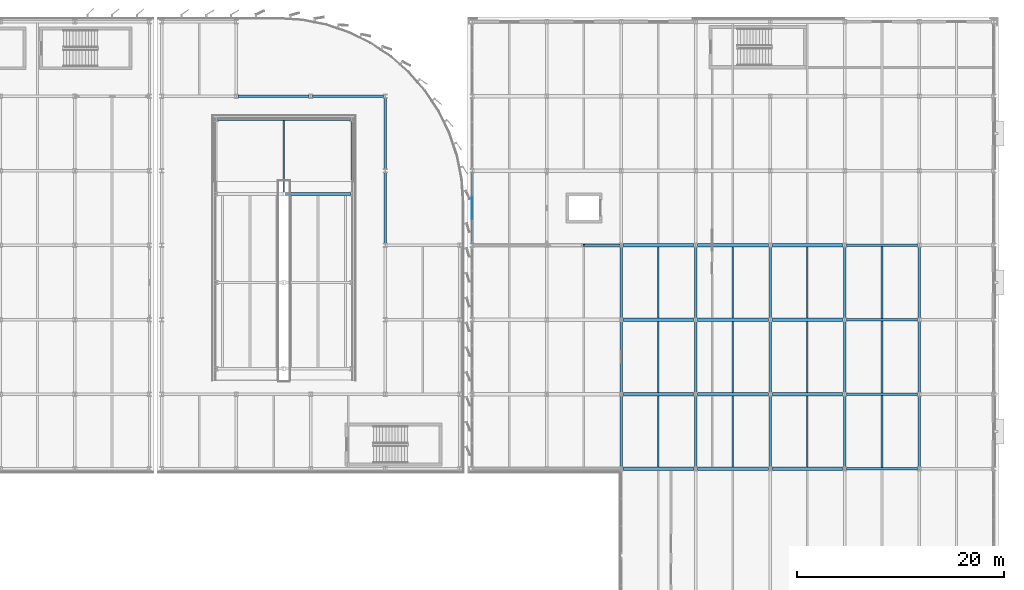
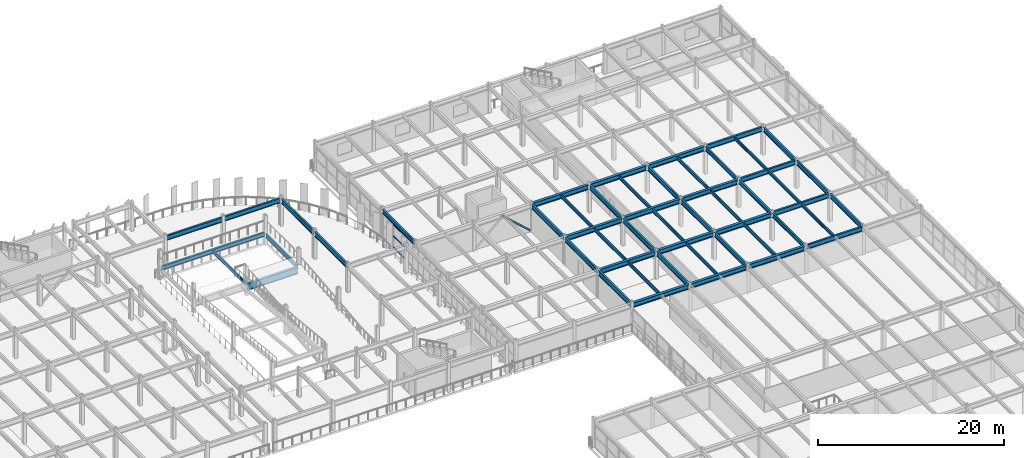
# One storey, part 45 of 93: 52 beams, 4 members, 1 element without a shape of its own.
"""IFC4 building model written with IfcOpenShell, lengths in metres."""

from ifc_helpers import new_model, si_unit, direction, frame, origin, origin_2d, place, context, subcontext, project, spatial, rectangle, hollow_rectangle, i_section, extrude, material, material_profile, profile_set, type_object, element, aggregate, save


model = new_model("IFC4")

# Units and contexts
model_context = context("Model", 3, precision=1e-05, world=origin(), true_north=direction((0.0, 1.0)))
body_context = subcontext(model_context, "Body", "Model", "MODEL_VIEW")
ifc_project = project(units=[si_unit("LENGTHUNIT", "METRE"), si_unit("AREAUNIT", "SQUARE_METRE"), si_unit("VOLUMEUNIT", "CUBIC_METRE"), si_unit("PLANEANGLEUNIT", "RADIAN"), si_unit("MASSUNIT", "GRAM", prefix="KILO")], contexts=[model_context])

# Site, building, storey
site_placement = place(None, origin())
site = spatial("IfcSite", under=ifc_project, at=site_placement, CompositionType="ELEMENT")
building_placement = place(site_placement, origin())
building = spatial("IfcBuilding", under=site, at=building_placement, Name="Vaelcorin Mobility Hub", CompositionType="ELEMENT")
storey_placement = place(building_placement, frame((0.0, 0.0, 5.39990234375)))
storey = spatial("IfcBuildingStorey", under=building, at=storey_placement, Name="L01", CompositionType="ELEMENT", Elevation=5.39990234375)

# Beams
ifc_material_1 = material(Name="Steel ASTM A992 Grade 50", Category="steel")
ifc_material_profile_1 = material_profile(ifc_material_1, i_section(OverallWidth=0.177978515625, OverallDepth=0.404052734375, WebThickness=0.007568359375, FlangeThickness=0.010986328125, FilletRadius=0.012939453125, at=origin_2d()), Name="W16X36")
ifc_profile_set_1 = profile_set([ifc_material_profile_1], Name="Steel ASTM A992 Grade 50")
beam_type_1 = type_object("IfcBeamType", Name="BM-W16X36", PredefinedType="JOIST", material=ifc_profile_set_1)
for number, where, z_axis, x_axis, name in (
    (1, (193.199951171875, 76.912109375, 3.498046875), (0.0, 1.0, 0.0), (-1.0, 0.0, 0.0), "L01 Beam V5E-L01-J-01-09-1"),
    (2, (193.199951171875, 84.112060546875, 3.498046875), (0.0, 1.0, 0.0), (-1.0, 0.0, 0.0), "L01 Beam V5E-L01-J-01-10-1"),
):
    element("IfcBeam", number, at=place(storey_placement, frame(where, z_axis=z_axis, x_axis=x_axis)), inside=storey, type_object=beam_type_1, Name=name, PredefinedType="JOIST", context=body_context, shape_type="SweptSolid", body=[
        extrude(i_section(OverallWidth=0.177978515625, OverallDepth=0.404052734375, WebThickness=0.007568359375, FlangeThickness=0.010986328125, FilletRadius=0.012939453125, at=origin_2d()), origin(), (0.0, 0.0, 1.0), 6.975830078125),
    ])
beam_1_placement = place(storey_placement, frame((193.199951171875, 91.31201171875, 3.498046875), z_axis=(0.0, 1.0, 0.0), x_axis=(-1.0, 0.0, 0.0)))
element("IfcBeam", 3, at=beam_1_placement, inside=storey, type_object=beam_type_1, Name="L01 Beam V5E-L01-J-01-11-1", PredefinedType="JOIST", context=body_context, shape_type="SweptSolid", body=[
    extrude(i_section(OverallWidth=0.177978515625, OverallDepth=0.404052734375, WebThickness=0.007568359375, FlangeThickness=0.010986328125, FilletRadius=0.012939453125, at=origin_2d()), origin(), (0.0, 0.0, 1.0), 6.97607421875),
])
ifc_material_profile_2 = material_profile(ifc_material_1, i_section(OverallWidth=0.152099609375, OverallDepth=0.455078125, WebThickness=0.008056640625, FlangeThickness=0.01318359375, FilletRadius=0.012939453125, at=origin_2d()), Name="W18X40")
ifc_profile_set_2 = profile_set([ifc_material_profile_2], Name="Steel ASTM A992 Grade 50")
beam_type_2 = type_object("IfcBeamType", Name="BM-W18X40", PredefinedType="JOIST", material=ifc_profile_set_2)
for number, where, z_axis, x_axis, name in (
    (4, (171.60009765625, 76.9599609375, 3.443115234375), (0.0, 1.0, 0.0), (-1.0, 0.0, 0.0), "L01 Beam V5-L01-J-03-09-1"),
    (5, (171.60009765625, 84.159912109375, 3.443115234375), (0.0, 1.0, 0.0), (-1.0, 0.0, 0.0), "L01 Beam V5-L01-J-03-10-1"),
):
    element("IfcBeam", number, at=place(storey_placement, frame(where, z_axis=z_axis, x_axis=x_axis)), inside=storey, type_object=beam_type_2, Name=name, PredefinedType="JOIST", context=body_context, shape_type="SweptSolid", body=[
        extrude(i_section(OverallWidth=0.152099609375, OverallDepth=0.455078125, WebThickness=0.008056640625, FlangeThickness=0.01318359375, FilletRadius=0.012939453125, at=origin_2d()), origin(), (0.0, 0.0, 1.0), 6.880126953125),
    ])
beam_2_placement = place(storey_placement, frame((171.60009765625, 91.360107421875, 3.443115234375), z_axis=(0.0, 1.0, 0.0), x_axis=(-1.0, 0.0, 0.0)))
element("IfcBeam", 6, at=beam_2_placement, inside=storey, type_object=beam_type_2, Name="L01 Beam V5-L01-J-03-11-1", PredefinedType="JOIST", context=body_context, shape_type="SweptSolid", body=[
    extrude(i_section(OverallWidth=0.152099609375, OverallDepth=0.455078125, WebThickness=0.008056640625, FlangeThickness=0.01318359375, FilletRadius=0.012939453125, at=origin_2d()), origin(), (0.0, 0.0, 1.0), 6.8798828125),
])
for number, where, z_axis, x_axis, name in (
    (7, (178.800048828125, 76.9599609375, 3.443115234375), (0.0, 1.0, 0.0), (-1.0, 0.0, 0.0), "L01 Beam V5-L01-J-04-09-1"),
    (8, (178.800048828125, 84.159912109375, 3.443115234375), (0.0, 1.0, 0.0), (-1.0, 0.0, 0.0), "L01 Beam V5-L01-J-04-10-1"),
):
    element("IfcBeam", number, at=place(storey_placement, frame(where, z_axis=z_axis, x_axis=x_axis)), inside=storey, type_object=beam_type_2, Name=name, PredefinedType="JOIST", context=body_context, shape_type="SweptSolid", body=[
        extrude(i_section(OverallWidth=0.152099609375, OverallDepth=0.455078125, WebThickness=0.008056640625, FlangeThickness=0.01318359375, FilletRadius=0.012939453125, at=origin_2d()), origin(), (0.0, 0.0, 1.0), 6.880126953125),
    ])
beam_3_placement = place(storey_placement, frame((178.800048828125, 91.360107421875, 3.443115234375), z_axis=(0.0, 1.0, 0.0), x_axis=(-1.0, 0.0, 0.0)))
element("IfcBeam", 9, at=beam_3_placement, inside=storey, type_object=beam_type_2, Name="L01 Beam V5-L01-J-04-11-1", PredefinedType="JOIST", context=body_context, shape_type="SweptSolid", body=[
    extrude(i_section(OverallWidth=0.152099609375, OverallDepth=0.455078125, WebThickness=0.008056640625, FlangeThickness=0.01318359375, FilletRadius=0.012939453125, at=origin_2d()), origin(), (0.0, 0.0, 1.0), 6.8798828125),
])
for number, where, z_axis, x_axis, name in (
    (10, (186.0, 76.9599609375, 3.443115234375), (0.0, 1.0, 0.0), (-1.0, 0.0, 0.0), "L01 Beam V5-L01-J-05-09-1"),
    (11, (186.0, 84.159912109375, 3.443115234375), (0.0, 1.0, 0.0), (-1.0, 0.0, 0.0), "L01 Beam V5-L01-J-05-10-1"),
):
    element("IfcBeam", number, at=place(storey_placement, frame(where, z_axis=z_axis, x_axis=x_axis)), inside=storey, type_object=beam_type_2, Name=name, PredefinedType="JOIST", context=body_context, shape_type="SweptSolid", body=[
        extrude(i_section(OverallWidth=0.152099609375, OverallDepth=0.455078125, WebThickness=0.008056640625, FlangeThickness=0.01318359375, FilletRadius=0.012939453125, at=origin_2d()), origin(), (0.0, 0.0, 1.0), 6.880126953125),
    ])
beam_4_placement = place(storey_placement, frame((186.0, 91.360107421875, 3.443115234375), z_axis=(0.0, 1.0, 0.0), x_axis=(-1.0, 0.0, 0.0)))
element("IfcBeam", 12, at=beam_4_placement, inside=storey, type_object=beam_type_2, Name="L01 Beam V5-L01-J-05-11-1", PredefinedType="JOIST", context=body_context, shape_type="SweptSolid", body=[
    extrude(i_section(OverallWidth=0.152099609375, OverallDepth=0.455078125, WebThickness=0.008056640625, FlangeThickness=0.01318359375, FilletRadius=0.012939453125, at=origin_2d()), origin(), (0.0, 0.0, 1.0), 6.8798828125),
])
beam_5_placement = place(storey_placement, frame((135.39990234375, 103.52490234375, 1.442138671875), z_axis=(0.0, 1.0, 0.0), x_axis=(-1.0, 0.0, 0.0)))
element("IfcBeam", 13, at=beam_5_placement, inside=storey, type_object=beam_type_2, Name="Vehicle Ramp VR-2 L01 Landing Mid Joist", PredefinedType="JOIST", context=body_context, shape_type="SweptSolid", body=[
    extrude(i_section(OverallWidth=0.152099609375, OverallDepth=0.455078125, WebThickness=0.008056640625, FlangeThickness=0.01318359375, FilletRadius=0.012939453125, at=origin_2d()), origin(), (0.0, 0.0, 1.0), 6.922119140625),
])
ifc_material_profile_3 = material_profile(ifc_material_1, i_section(OverallWidth=0.166015625, OverallDepth=0.528076171875, WebThickness=0.009765625, FlangeThickness=0.013671875, FilletRadius=0.013916015625, at=origin_2d()), Name="W21X50")
ifc_profile_set_3 = profile_set([ifc_material_profile_3], Name="Steel ASTM A992 Grade 50")
beam_type_3 = type_object("IfcBeamType", Name="BM-W21X50", PredefinedType="JOIST", material=ifc_profile_set_3)
beam_6_placement = place(storey_placement, frame((141.949951171875, 103.52490234375, 1.254150390625), z_axis=(0.0, 1.0, 0.0), x_axis=(-1.0, 0.0, 0.0)))
element("IfcBeam", 14, at=beam_6_placement, inside=storey, type_object=beam_type_3, Name="Vehicle Ramp VR-2 L01 Landing East Edge Beam", PredefinedType="JOIST", context=body_context, shape_type="SweptSolid", body=[
    extrude(i_section(OverallWidth=0.166015625, OverallDepth=0.528076171875, WebThickness=0.009765625, FlangeThickness=0.013671875, FilletRadius=0.013916015625, at=origin_2d()), origin(), (0.0, 0.0, 1.0), 6.85009765625),
])
ifc_material_profile_4 = material_profile(ifc_material_1, i_section(OverallWidth=0.2099609375, OverallDepth=0.535888671875, WebThickness=0.010986328125, FlangeThickness=0.017333984375, FilletRadius=0.013916015625, at=origin_2d()), Name="W21X68")
ifc_profile_set_4 = profile_set([ifc_material_profile_4], Name="Steel ASTM A992 Grade 50")
beam_type_4 = type_object("IfcBeamType", Name="BM-W21X68", PredefinedType="SPANDREL", material=ifc_profile_set_4)
for number, where, z_axis, x_axis, name in (
    (15, (153.60009765625, 98.583984375, 3.402099609375), (0.0, 1.0, 0.0), (-1.0, 0.0, 0.0), "L01 Beam V5-L01-GY-01-12"),
    (16, (189.60009765625, 76.98388671875, 3.402099609375), (0.0, 1.0, 0.0), (-1.0, 0.0, 0.0), "L01 Beam V5-L01-GY-06-09"),
    (17, (189.60009765625, 84.18408203125, 3.402099609375), (0.0, 1.0, 0.0), (-1.0, 0.0, 0.0), "L01 Beam V5-L01-GY-06-10"),
    (18, (189.60009765625, 91.384033203125, 3.402099609375), (0.0, 1.0, 0.0), (-1.0, 0.0, 0.0), "L01 Beam V5-L01-GY-06-11"),
):
    element("IfcBeam", number, at=place(storey_placement, frame(where, z_axis=z_axis, x_axis=x_axis)), inside=storey, type_object=beam_type_4, Name=name, PredefinedType="SPANDREL", context=body_context, shape_type="SweptSolid", body=[
        extrude(i_section(OverallWidth=0.2099609375, OverallDepth=0.535888671875, WebThickness=0.010986328125, FlangeThickness=0.017333984375, FilletRadius=0.013916015625, at=origin_2d()), origin(), (0.0, 0.0, 1.0), 6.83203125),
    ])
beam_7_placement = place(storey_placement, frame((128.97998046875, 110.550048828125, 1.402099609375), z_axis=(1.0, 0.0, 0.0), x_axis=(0.0, 1.0, 0.0)))
element("IfcBeam", 19, at=beam_7_placement, inside=storey, type_object=beam_type_4, Name="Vehicle Ramp VR-2 L01 Landing Back Girder", PredefinedType="SPANDREL", context=body_context, shape_type="SweptSolid", body=[
    extrude(i_section(OverallWidth=0.2099609375, OverallDepth=0.535888671875, WebThickness=0.010986328125, FlangeThickness=0.017333984375, FilletRadius=0.013916015625, at=origin_2d()), origin(), (0.0, 0.0, 1.0), 12.840087890625),
])
ifc_material_profile_5 = material_profile(ifc_material_1, i_section(OverallWidth=0.324951171875, OverallDepth=0.612060546875, WebThickness=0.0126953125, FlangeThickness=0.01904296875, FilletRadius=0.014892578125, at=origin_2d()), Name="W24X104")
ifc_profile_set_5 = profile_set([ifc_material_profile_5], Name="Steel ASTM A992 Grade 50")
beam_type_5 = type_object("IfcBeamType", Name="BM-W24X104", PredefinedType="BEAM", material=ifc_profile_set_5)
beam_8_placement = place(storey_placement, frame((168.18408203125, 76.800048828125, 3.364013671875), z_axis=(1.0, 0.0, 0.0), x_axis=(0.0, 1.0, 0.0)))
element("IfcBeam", 20, at=beam_8_placement, inside=storey, type_object=beam_type_5, Name="L01 Beam V5-L01-GX-09-03", PredefinedType="BEAM", context=body_context, shape_type="SweptSolid", body=[
    extrude(i_section(OverallWidth=0.324951171875, OverallDepth=0.612060546875, WebThickness=0.0126953125, FlangeThickness=0.01904296875, FilletRadius=0.014892578125, at=origin_2d()), origin(), (0.0, 0.0, 1.0), 6.830810546875),
])
beam_9_placement = place(storey_placement, frame((175.384033203125, 76.800048828125, 3.364013671875), z_axis=(1.0, 0.0, 0.0), x_axis=(0.0, 1.0, 0.0)))
element("IfcBeam", 21, at=beam_9_placement, inside=storey, type_object=beam_type_5, Name="L01 Beam V5-L01-GX-09-04", PredefinedType="BEAM", context=body_context, shape_type="SweptSolid", body=[
    extrude(i_section(OverallWidth=0.324951171875, OverallDepth=0.612060546875, WebThickness=0.0126953125, FlangeThickness=0.01904296875, FilletRadius=0.014892578125, at=origin_2d()), origin(), (0.0, 0.0, 1.0), 6.83203125),
])
beam_10_placement = place(storey_placement, frame((182.5849609375, 76.800048828125, 3.364013671875), z_axis=(1.0, 0.0, 0.0), x_axis=(0.0, 1.0, 0.0)))
element("IfcBeam", 22, at=beam_10_placement, inside=storey, type_object=beam_type_5, Name="L01 Beam V5-L01-GX-09-05", PredefinedType="BEAM", context=body_context, shape_type="SweptSolid", body=[
    extrude(i_section(OverallWidth=0.324951171875, OverallDepth=0.612060546875, WebThickness=0.0126953125, FlangeThickness=0.01904296875, FilletRadius=0.014892578125, at=origin_2d()), origin(), (0.0, 0.0, 1.0), 6.830078125),
])
beam_11_placement = place(storey_placement, frame((168.18408203125, 84.0, 3.364013671875), z_axis=(1.0, 0.0, 0.0), x_axis=(0.0, 1.0, 0.0)))
element("IfcBeam", 23, at=beam_11_placement, inside=storey, type_object=beam_type_5, Name="L01 Beam V5-L01-GX-10-03", PredefinedType="BEAM", context=body_context, shape_type="SweptSolid", body=[
    extrude(i_section(OverallWidth=0.324951171875, OverallDepth=0.612060546875, WebThickness=0.0126953125, FlangeThickness=0.01904296875, FilletRadius=0.014892578125, at=origin_2d()), origin(), (0.0, 0.0, 1.0), 6.830810546875),
])
beam_12_placement = place(storey_placement, frame((175.384033203125, 84.0, 3.364013671875), z_axis=(1.0, 0.0, 0.0), x_axis=(0.0, 1.0, 0.0)))
element("IfcBeam", 24, at=beam_12_placement, inside=storey, type_object=beam_type_5, Name="L01 Beam V5-L01-GX-10-04", PredefinedType="BEAM", context=body_context, shape_type="SweptSolid", body=[
    extrude(i_section(OverallWidth=0.324951171875, OverallDepth=0.612060546875, WebThickness=0.0126953125, FlangeThickness=0.01904296875, FilletRadius=0.014892578125, at=origin_2d()), origin(), (0.0, 0.0, 1.0), 6.83203125),
])
beam_13_placement = place(storey_placement, frame((182.5849609375, 84.0, 3.364013671875), z_axis=(1.0, 0.0, 0.0), x_axis=(0.0, 1.0, 0.0)))
element("IfcBeam", 25, at=beam_13_placement, inside=storey, type_object=beam_type_5, Name="L01 Beam V5-L01-GX-10-05", PredefinedType="BEAM", context=body_context, shape_type="SweptSolid", body=[
    extrude(i_section(OverallWidth=0.324951171875, OverallDepth=0.612060546875, WebThickness=0.0126953125, FlangeThickness=0.01904296875, FilletRadius=0.014892578125, at=origin_2d()), origin(), (0.0, 0.0, 1.0), 6.830078125),
])
beam_14_placement = place(storey_placement, frame((168.18408203125, 91.199951171875, 3.364013671875), z_axis=(1.0, 0.0, 0.0), x_axis=(0.0, 1.0, 0.0)))
element("IfcBeam", 26, at=beam_14_placement, inside=storey, type_object=beam_type_5, Name="L01 Beam V5-L01-GX-11-03", PredefinedType="BEAM", context=body_context, shape_type="SweptSolid", body=[
    extrude(i_section(OverallWidth=0.324951171875, OverallDepth=0.612060546875, WebThickness=0.0126953125, FlangeThickness=0.01904296875, FilletRadius=0.014892578125, at=origin_2d()), origin(), (0.0, 0.0, 1.0), 6.830810546875),
])
beam_15_placement = place(storey_placement, frame((175.384033203125, 91.199951171875, 3.364013671875), z_axis=(1.0, 0.0, 0.0), x_axis=(0.0, 1.0, 0.0)))
element("IfcBeam", 27, at=beam_15_placement, inside=storey, type_object=beam_type_5, Name="L01 Beam V5-L01-GX-11-04", PredefinedType="BEAM", context=body_context, shape_type="SweptSolid", body=[
    extrude(i_section(OverallWidth=0.324951171875, OverallDepth=0.612060546875, WebThickness=0.0126953125, FlangeThickness=0.01904296875, FilletRadius=0.014892578125, at=origin_2d()), origin(), (0.0, 0.0, 1.0), 6.83203125),
])
beam_16_placement = place(storey_placement, frame((182.5849609375, 91.199951171875, 3.364013671875), z_axis=(1.0, 0.0, 0.0), x_axis=(0.0, 1.0, 0.0)))
element("IfcBeam", 28, at=beam_16_placement, inside=storey, type_object=beam_type_5, Name="L01 Beam V5-L01-GX-11-05", PredefinedType="BEAM", context=body_context, shape_type="SweptSolid", body=[
    extrude(i_section(OverallWidth=0.324951171875, OverallDepth=0.612060546875, WebThickness=0.0126953125, FlangeThickness=0.01904296875, FilletRadius=0.014892578125, at=origin_2d()), origin(), (0.0, 0.0, 1.0), 6.830078125),
])
beam_17_placement = place(storey_placement, frame((168.18408203125, 98.39990234375, 3.364013671875), z_axis=(1.0, 0.0, 0.0), x_axis=(0.0, 1.0, 0.0)))
element("IfcBeam", 29, at=beam_17_placement, inside=storey, type_object=beam_type_5, Name="L01 Beam V5-L01-GX-12-03", PredefinedType="BEAM", context=body_context, shape_type="SweptSolid", body=[
    extrude(i_section(OverallWidth=0.324951171875, OverallDepth=0.612060546875, WebThickness=0.0126953125, FlangeThickness=0.01904296875, FilletRadius=0.014892578125, at=origin_2d()), origin(), (0.0, 0.0, 1.0), 6.830810546875),
])
beam_18_placement = place(storey_placement, frame((175.384033203125, 98.39990234375, 3.364013671875), z_axis=(1.0, 0.0, 0.0), x_axis=(0.0, 1.0, 0.0)))
element("IfcBeam", 30, at=beam_18_placement, inside=storey, type_object=beam_type_5, Name="L01 Beam V5-L01-GX-12-04", PredefinedType="BEAM", context=body_context, shape_type="SweptSolid", body=[
    extrude(i_section(OverallWidth=0.324951171875, OverallDepth=0.612060546875, WebThickness=0.0126953125, FlangeThickness=0.01904296875, FilletRadius=0.014892578125, at=origin_2d()), origin(), (0.0, 0.0, 1.0), 6.83203125),
])
beam_19_placement = place(storey_placement, frame((182.5849609375, 98.39990234375, 3.364013671875), z_axis=(1.0, 0.0, 0.0), x_axis=(0.0, 1.0, 0.0)))
element("IfcBeam", 31, at=beam_19_placement, inside=storey, type_object=beam_type_5, Name="L01 Beam V5-L01-GX-12-05", PredefinedType="BEAM", context=body_context, shape_type="SweptSolid", body=[
    extrude(i_section(OverallWidth=0.324951171875, OverallDepth=0.612060546875, WebThickness=0.0126953125, FlangeThickness=0.01904296875, FilletRadius=0.014892578125, at=origin_2d()), origin(), (0.0, 0.0, 1.0), 6.830078125),
])
ifc_material_profile_6 = material_profile(ifc_material_1, i_section(OverallWidth=0.22802734375, OverallDepth=0.60205078125, WebThickness=0.010498046875, FlangeThickness=0.014892578125, FilletRadius=0.014892578125, at=origin_2d()), Name="W24X68")
ifc_profile_set_6 = profile_set([ifc_material_profile_6], Name="Steel ASTM A992 Grade 50")
beam_type_6 = type_object("IfcBeamType", Name="BM-W24X68", PredefinedType="SPANDREL", material=ifc_profile_set_6)
for number, where, z_axis, x_axis, name in (
    (32, (196.800048828125, 76.98388671875, 3.399169921875), (0.0, 1.0, 0.0), (-1.0, 0.0, 0.0), "L01 Beam V5E-L01-GY-02-09"),
    (33, (196.800048828125, 84.18408203125, 3.399169921875), (0.0, 1.0, 0.0), (-1.0, 0.0, 0.0), "L01 Beam V5E-L01-GY-02-10"),
    (34, (196.800048828125, 91.384033203125, 3.399169921875), (0.0, 1.0, 0.0), (-1.0, 0.0, 0.0), "L01 Beam V5E-L01-GY-02-11"),
):
    element("IfcBeam", number, at=place(storey_placement, frame(where, z_axis=z_axis, x_axis=x_axis)), inside=storey, type_object=beam_type_6, Name=name, PredefinedType="SPANDREL", context=body_context, shape_type="SweptSolid", body=[
        extrude(i_section(OverallWidth=0.22802734375, OverallDepth=0.60205078125, WebThickness=0.010498046875, FlangeThickness=0.014892578125, FilletRadius=0.014892578125, at=origin_2d()), origin(), (0.0, 0.0, 1.0), 6.83203125),
    ])
ifc_material_profile_7 = material_profile(ifc_material_1, i_section(OverallWidth=0.22900390625, OverallDepth=0.612060546875, WebThickness=0.011962890625, FlangeThickness=0.01953125, FilletRadius=0.014892578125, at=origin_2d()), Name="W24X84")
ifc_profile_set_7 = profile_set([ifc_material_profile_7], Name="Steel ASTM A992 Grade 50")
beam_type_7 = type_object("IfcBeamType", Name="BM-W24X84", PredefinedType="BEAM", material=ifc_profile_set_7)
for number, where, z_axis, x_axis, name in (
    (35, (130.985107421875, 112.800048828125, 3.343994140625), (1.0, 0.0, 0.0), (0.0, 1.0, 0.0), "L01 Beam V2E-L01-GX-06-02"),
    (36, (138.18408203125, 112.800048828125, 3.343994140625), (1.0, 0.0, 0.0), (0.0, 1.0, 0.0), "L01 Beam V2E-L01-GX-06-03"),
):
    element("IfcBeam", number, at=place(storey_placement, frame(where, z_axis=z_axis, x_axis=x_axis)), inside=storey, type_object=beam_type_7, Name=name, PredefinedType="BEAM", context=body_context, shape_type="SweptSolid", body=[
        extrude(i_section(OverallWidth=0.22900390625, OverallDepth=0.612060546875, WebThickness=0.011962890625, FlangeThickness=0.01953125, FilletRadius=0.014892578125, at=origin_2d()), origin(), (0.0, 0.0, 1.0), 6.830810546875),
    ])
for number, where, z_axis, x_axis, name in (
    (37, (145.199951171875, 98.583984375, 3.343994140625), (0.0, 1.0, 0.0), (-1.0, 0.0, 0.0), "L01 Beam V2E-L01-GY-04-04"),
    (38, (145.199951171875, 105.783935546875, 3.343994140625), (0.0, 1.0, 0.0), (-1.0, 0.0, 0.0), "L01 Beam V2E-L01-GY-04-05"),
    (39, (168.0, 76.98388671875, 3.364013671875), (0.0, 1.0, 0.0), (-1.0, 0.0, 0.0), "L01 Beam V5-L01-GY-03-09"),
    (40, (168.0, 84.18408203125, 3.364013671875), (0.0, 1.0, 0.0), (-1.0, 0.0, 0.0), "L01 Beam V5-L01-GY-03-10"),
    (41, (168.0, 91.384033203125, 3.364013671875), (0.0, 1.0, 0.0), (-1.0, 0.0, 0.0), "L01 Beam V5-L01-GY-03-11"),
    (42, (175.199951171875, 76.98388671875, 3.364013671875), (0.0, 1.0, 0.0), (-1.0, 0.0, 0.0), "L01 Beam V5-L01-GY-04-09"),
    (43, (175.199951171875, 84.18408203125, 3.364013671875), (0.0, 1.0, 0.0), (-1.0, 0.0, 0.0), "L01 Beam V5-L01-GY-04-10"),
    (44, (175.199951171875, 91.384033203125, 3.364013671875), (0.0, 1.0, 0.0), (-1.0, 0.0, 0.0), "L01 Beam V5-L01-GY-04-11"),
    (45, (182.39990234375, 76.98388671875, 3.364013671875), (0.0, 1.0, 0.0), (-1.0, 0.0, 0.0), "L01 Beam V5-L01-GY-05-09"),
    (46, (182.39990234375, 84.18408203125, 3.364013671875), (0.0, 1.0, 0.0), (-1.0, 0.0, 0.0), "L01 Beam V5-L01-GY-05-10"),
    (47, (182.39990234375, 91.384033203125, 3.364013671875), (0.0, 1.0, 0.0), (-1.0, 0.0, 0.0), "L01 Beam V5-L01-GY-05-11"),
    (48, (189.783935546875, 76.800048828125, 3.39404296875), (1.0, 0.0, 0.0), (0.0, 1.0, 0.0), "L01 Beam V5E-L01-GX-09-01"),
    (49, (189.783935546875, 84.0, 3.39404296875), (1.0, 0.0, 0.0), (0.0, 1.0, 0.0), "L01 Beam V5E-L01-GX-10-01"),
    (50, (189.783935546875, 91.199951171875, 3.39404296875), (1.0, 0.0, 0.0), (0.0, 1.0, 0.0), "L01 Beam V5E-L01-GX-11-01"),
    (51, (189.783935546875, 98.39990234375, 3.39404296875), (1.0, 0.0, 0.0), (0.0, 1.0, 0.0), "L01 Beam V5E-L01-GX-12-01"),
):
    element("IfcBeam", number, at=place(storey_placement, frame(where, z_axis=z_axis, x_axis=x_axis)), inside=storey, type_object=beam_type_7, Name=name, PredefinedType="BEAM", context=body_context, shape_type="SweptSolid", body=[
        extrude(i_section(OverallWidth=0.22900390625, OverallDepth=0.612060546875, WebThickness=0.011962890625, FlangeThickness=0.01953125, FilletRadius=0.014892578125, at=origin_2d()), origin(), (0.0, 0.0, 1.0), 6.83203125),
    ])
ifc_material_profile_8 = material_profile(ifc_material_1, i_section(OverallWidth=0.304931640625, OverallDepth=0.9140625, WebThickness=0.0166015625, FlangeThickness=0.02587890625, FilletRadius=0.02001953125, at=origin_2d()), Name="W36X160")
ifc_profile_set_8 = profile_set([ifc_material_profile_8], Name="Steel ASTM A992 Grade 50")
beam_type_8 = type_object("IfcBeamType", Name="BM-W36X160", PredefinedType="BEAM", material=ifc_profile_set_8)
beam_20_placement = place(storey_placement, frame((135.530029296875, 103.35009765625, 1.06103515625), z_axis=(1.0, 0.0, 0.0), x_axis=(0.0, 1.0, 0.0)))
element("IfcBeam", 52, at=beam_20_placement, inside=storey, type_object=beam_type_8, Name="Vehicle Ramp VR-2 L01 Landing Girder NE", PredefinedType="BEAM", context=body_context, shape_type="SweptSolid", body=[
    extrude(i_section(OverallWidth=0.304931640625, OverallDepth=0.9140625, WebThickness=0.0166015625, FlangeThickness=0.02587890625, FilletRadius=0.02001953125, at=origin_2d()), origin(), (0.0, 0.0, 1.0), 6.2900390625),
])

# Member
ifc_material_2 = material(Name="Steel ASTM A500 Grade C", Category="steel")
ifc_material_profile_9 = material_profile(ifc_material_2, hollow_rectangle(XDim=0.203125, YDim=0.203125, WallThickness=0.01171875, at=origin_2d()), Name="HSS8X8X0.500")
ifc_profile_set_9 = profile_set([ifc_material_profile_9], Name="Steel ASTM A500 Grade C")
member_type_1 = type_object("IfcMemberType", Name="BR-SCBF-8X8", PredefinedType="BRACE", material=ifc_profile_set_9)
member_1_placement = place(storey_placement, frame((167.81005859375, 98.39990234375, 0.18017578125), z_axis=(-0.743220060975, 0.0, 0.669047039426), x_axis=(0.0, -1.0, 0.0)))
element("IfcMember", 53, at=member_1_placement, inside=storey, type_object=member_type_1, Name="SCBF Chevron Brace V5-BX2-L01-B", PredefinedType="BRACE", context=body_context, shape_type="SweptSolid", body=[
    extrude(hollow_rectangle(XDim=0.203125, YDim=0.203125, WallThickness=0.01171875, at=origin_2d()), origin(), (0.0, 0.0, 1.0), 4.58837890625),
])

# Curtain wall, members
ifc_material_3 = material(Name="Anodised aluminium 6063-T6", Category="aluminium")
curtain_wall_type = type_object("IfcCurtainWallType", Name="CW-MOB-A", PredefinedType="NOTDEFINED", material=ifc_material_3)
curtain_wall_placement = place(storey_placement, origin())
curtain_wall = element("IfcCurtainWall", 54, at=curtain_wall_placement, inside=storey, type_object=curtain_wall_type, Name="L01 Curtain Wall CW-V5-L01-WN-04", PredefinedType="NOTDEFINED")
ifc_material_profile_10 = material_profile(ifc_material_3, rectangle(XDim=0.06005859375, YDim=0.1201171875, at=origin_2d()), Name="ALU-T60X120")
ifc_profile_set_10 = profile_set([ifc_material_profile_10], Name="Anodised aluminium 6063-T6")
member_type_2 = type_object("IfcMemberType", Name="CW-TRAN-140", PredefinedType="USERDEFINED", material=ifc_profile_set_10)
member_2_placement = place(storey_placement, frame((153.60009765625, 100.9033203125, 0.030029296875), z_axis=(0.0, 1.0, 0.0), x_axis=(-1.0, 0.0, 0.0)))
member_2 = element("IfcMember", 55, at=member_2_placement, type_object=member_type_2, Name="CW7 transom 2.1", ObjectType="TRANSOM", PredefinedType="USERDEFINED", context=body_context, shape_type="SweptSolid", body=[
    extrude(rectangle(XDim=0.06005859375, YDim=0.1201171875, at=origin_2d()), origin(), (0.0, 0.0, 1.0), 2.193359375),
])
member_3_placement = place(storey_placement, frame((153.60009765625, 100.9033203125, 1.522216796875), z_axis=(0.0, 1.0, 0.0), x_axis=(-1.0, 0.0, 0.0)))
member_3 = element("IfcMember", 56, at=member_3_placement, type_object=member_type_2, Name="CW7 transom 2.2", ObjectType="TRANSOM", PredefinedType="USERDEFINED", context=body_context, shape_type="SweptSolid", body=[
    extrude(rectangle(XDim=0.06005859375, YDim=0.1201171875, at=origin_2d()), origin(), (0.0, 0.0, 1.0), 2.193359375),
])
member_4_placement = place(storey_placement, frame((153.60009765625, 100.9033203125, 3.01318359375), z_axis=(0.0, 1.0, 0.0), x_axis=(-1.0, 0.0, 0.0)))
member_4 = element("IfcMember", 57, at=member_4_placement, type_object=member_type_2, Name="CW7 transom 2.3", ObjectType="TRANSOM", PredefinedType="USERDEFINED", context=body_context, shape_type="SweptSolid", body=[
    extrude(rectangle(XDim=0.06005859375, YDim=0.1201171875, at=origin_2d()), origin(), (0.0, 0.0, 1.0), 2.193359375),
])
aggregate(curtain_wall, [member_2, member_3, member_4])

save(model, "model.ifc")
